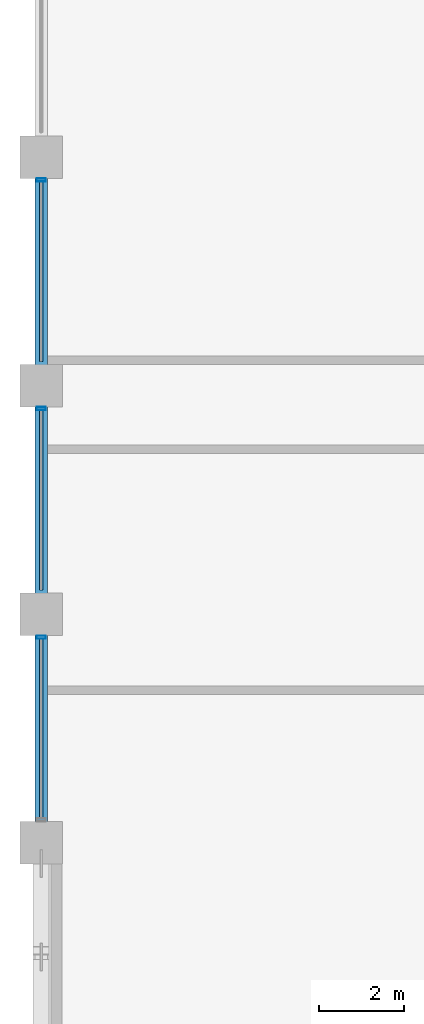
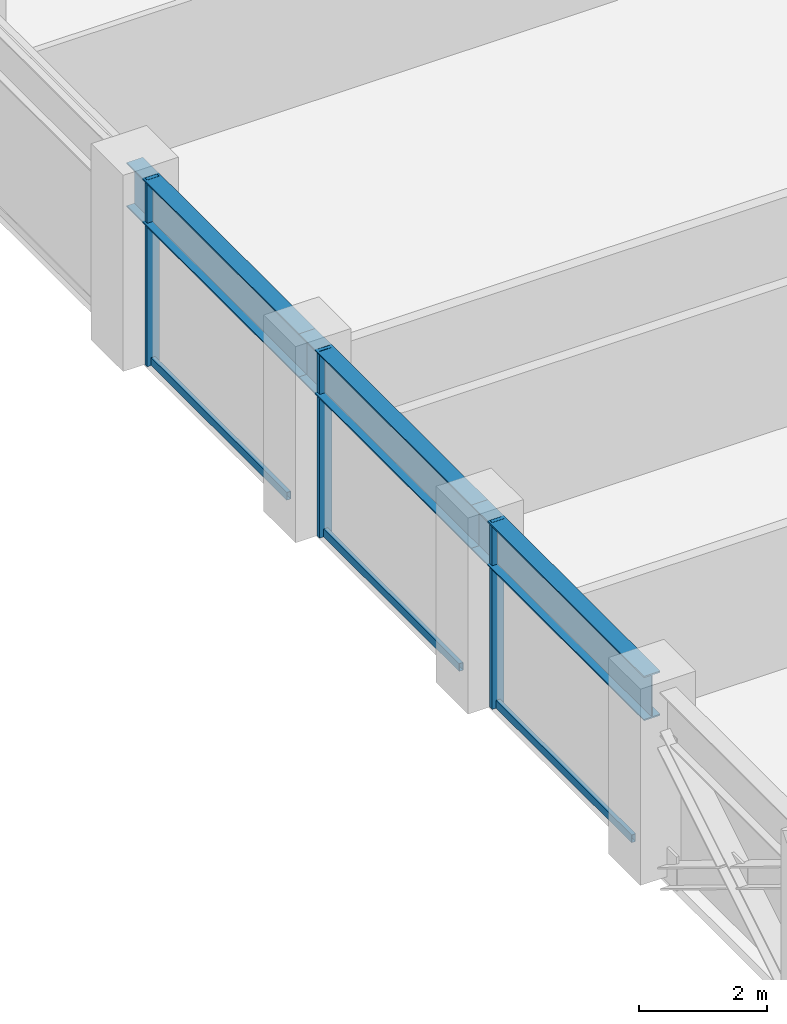
# One storey, part 6 of 23: 6 members, 3 beams, 1 element without a shape of its own.
"""IFC4 building model written with IfcOpenShell, lengths in metres."""

import ifcopenshell
import ifcopenshell.guid

model = None  # the IFC model being written
_history = None  # IfcOwnerHistory: only IFC2X3 demands one
_inside = {}  # id of a spatial element -> (the spatial element, [elements in it])
_under = {}  # id of a project, library or spatial element -> (it, [spatial elements below it])
_declared = {}  # id of a project -> (the project, [libraries it declares])
_typed = {}  # id of a type object -> (the type object, [elements of that type])
_made_of = {}  # id of a material, layer set ... -> (it, [elements and type objects made of it])


def new_model(schema):
    """Start an empty IFC model of exactly this schema.

    Asked for "IFC4X3", IfcOpenShell would pick the latest addendum, in which some entities
    have other attributes; the version numbers below select the first issue.
    IFC2X3 requires an IfcOwnerHistory on every rooted entity: one is made here for all.
    """
    global model, _history
    if schema == "IFC4X3":
        model = ifcopenshell.file(schema_version=(4, 3, 0, 0))
    else:
        model = ifcopenshell.file(schema=schema)
    _inside.clear()
    _under.clear()
    _declared.clear()
    _typed.clear()
    _made_of.clear()
    _history = None
    if model.schema == "IFC2X3":
        org = make("IfcOrganization", Name="unknown")
        user = make(
            "IfcPersonAndOrganization",
            ThePerson=make("IfcPerson", FamilyName="unknown"),
            TheOrganization=org,
        )
        app = make(
            "IfcApplication",
            ApplicationDeveloper=org,
            Version="unknown",
            ApplicationFullName="unknown",
            ApplicationIdentifier="unknown",
        )
        _history = make(
            "IfcOwnerHistory",
            OwningUser=user,
            OwningApplication=app,
            ChangeAction="ADDED",
            CreationDate=0,
        )
    return model


def make(cls, **values):
    """One entity of the class cls with the attributes given. An attribute that is None is left unset."""
    return model.create_entity(
        cls, **{name: value for name, value in values.items() if value is not None}
    )


def rooted(cls, **values):
    """An entity with a GlobalId (a new one), such as an element, a storey or a relation."""
    return make(cls, GlobalId=ifcopenshell.guid.new(), OwnerHistory=_history, **values)


def si_unit(unit_type, name, prefix=None):
    """IfcSIUnit, for example si_unit("LENGTHUNIT", "METRE", prefix="MILLI")."""
    return make("IfcSIUnit", UnitType=unit_type, Prefix=prefix, Name=name)


def assignment(units):
    """IfcUnitAssignment: the units of a project."""
    return None if units is None else make("IfcUnitAssignment", Units=units)


def point(xyz):
    """IfcCartesianPoint."""
    return None if xyz is None else make("IfcCartesianPoint", Coordinates=xyz)


def direction(xyz):
    """IfcDirection."""
    return None if xyz is None else make("IfcDirection", DirectionRatios=xyz)


def frame(location, z_axis=None, x_axis=None):
    """IfcAxis2Placement3D, a coordinate frame: its origin and axes. An axis left out is left unset."""
    return make(
        "IfcAxis2Placement3D",
        Location=point(location),
        Axis=direction(z_axis),
        RefDirection=direction(x_axis),
    )


def frame_2d(location, x_axis=None):
    """IfcAxis2Placement2D, a coordinate frame in the plane: its origin and x axis."""
    return make(
        "IfcAxis2Placement2D", Location=point(location), RefDirection=direction(x_axis)
    )


def origin():
    """The frame at (0, 0, 0) with its axes left unset."""
    return frame((0.0, 0.0, 0.0))


def origin_2d():
    """The frame at (0, 0) in the plane with its x axis left unset."""
    return frame_2d((0.0, 0.0))


def place(relative_to, where):
    """IfcLocalPlacement: puts the frame where relative to a parent placement (None: the world)."""
    return make(
        "IfcLocalPlacement", PlacementRelTo=relative_to, RelativePlacement=where
    )


def context(
    kind, dimensions, precision=None, world=None, true_north=None, identifier=None
):
    """IfcGeometricRepresentationContext, for example the 3D "Model" context."""
    return make(
        "IfcGeometricRepresentationContext",
        ContextIdentifier=identifier,
        ContextType=kind,
        CoordinateSpaceDimension=dimensions,
        Precision=precision,
        WorldCoordinateSystem=world,
        TrueNorth=true_north,
    )


def subcontext(parent, identifier, kind, view, scale=None):
    """IfcGeometricRepresentationSubContext, for example "Body" below "Model"."""
    return make(
        "IfcGeometricRepresentationSubContext",
        ContextIdentifier=identifier,
        ContextType=kind,
        ParentContext=parent,
        TargetScale=scale,
        TargetView=view,
    )


def project(units=None, contexts=None):
    """IfcProject with its units and contexts."""
    return rooted(
        "IfcProject",
        Name="project",
        RepresentationContexts=contexts,
        UnitsInContext=assignment(units),
    )


def spatial(cls, under=None, at=None, **own):
    """A site, building, storey or space (cls), placed at a placement, below another one or the project."""
    s = rooted(cls, ObjectPlacement=at, **own)
    if under is not None:
        _under.setdefault(under.id(), (under, []))[1].append(s)
    return s


def profile(cls, at=None, kind="AREA", **sizes):
    """A parametric profile (cls). Its sizes go by their IFC names, for example OverallWidth=200.0."""
    return make(cls, ProfileType=kind, Position=at, **sizes)


def hollow_rectangle(**sizes):
    """IfcRectangleHollowProfileDef."""
    return profile("IfcRectangleHollowProfileDef", **sizes)


def i_section(**sizes):
    """IfcIShapeProfileDef."""
    return profile("IfcIShapeProfileDef", **sizes)


def extrude(swept, where, along, depth):
    """IfcExtrudedAreaSolid: the profile swept, set in the frame where, extruded along a direction by depth."""
    return make(
        "IfcExtrudedAreaSolid",
        SweptArea=swept,
        Position=where,
        ExtrudedDirection=direction(along),
        Depth=depth,
    )


def shape(context_of_items, identifier, shape_type, items):
    """IfcShapeRepresentation: the items that make up one representation, for example the "Body"."""
    return make(
        "IfcShapeRepresentation",
        ContextOfItems=context_of_items,
        RepresentationIdentifier=identifier,
        RepresentationType=shape_type,
        Items=items,
    )


def material(Name=None, Category=None):
    """IfcMaterial."""
    return make("IfcMaterial", Name=Name, Category=Category)


def layer(
    of_material, thickness, ventilated=None, Name=None, Category=None, Priority=None
):
    """IfcMaterialLayer: one layer of a wall or slab, of a material (None: an air gap)."""
    return make(
        "IfcMaterialLayer",
        Material=of_material,
        LayerThickness=thickness,
        IsVentilated=ventilated,
        Name=Name,
        Category=Category,
        Priority=Priority,
    )


def layer_set(layers, Name=None):
    """IfcMaterialLayerSet."""
    return make("IfcMaterialLayerSet", MaterialLayers=layers, LayerSetName=Name)


def material_profile(
    of_material, cross_section, Name=None, Category=None, Priority=None
):
    """IfcMaterialProfile: a cross section and its material."""
    return make(
        "IfcMaterialProfile",
        Name=Name,
        Material=of_material,
        Profile=cross_section,
        Priority=Priority,
        Category=Category,
    )


def profile_set(profiles, Name=None, composite=None):
    """IfcMaterialProfileSet."""
    return make(
        "IfcMaterialProfileSet",
        Name=Name,
        MaterialProfiles=profiles,
        CompositeProfile=composite,
    )


def made_of(thing, what):
    """Note that an element or type object is made of a material, layer set ...; save() writes the relation."""
    if what is not None:
        _made_of.setdefault(what.id(), (what, []))[1].append(thing)
    return thing


def type_object(cls, material=None, **own):
    """A type object (cls), such as IfcWallType, which elements share."""
    return made_of(rooted(cls, **own), material)


def element(
    cls,
    number,
    at=None,
    inside=None,
    cuts=None,
    type_object=None,
    material=None,
    context=None,
    identifier="Body",
    shape_type=None,
    held_by="IfcProductDefinitionShape",
    body=None,
    shapes=None,
    **own,
):
    """One element of the class cls, such as IfcWall. Its Tag is "e" and its number.

    at: its placement. inside: the storey or other place that contains it. cuts: it is an
    opening in that element (IfcRelVoidsElement). A single representation is given by context,
    identifier, shape_type and body (its items); several are given by shapes. held_by: the class
    of the entity that holds the representations. save() writes the other relations.
    """
    e = rooted(cls, Tag="e%d" % number, ObjectPlacement=at, **own)
    if body is not None:
        shapes = [shape(context, identifier, shape_type, body)]
    if shapes is not None:
        e.Representation = make(held_by, Representations=shapes)
    if inside is not None:
        _inside.setdefault(inside.id(), (inside, []))[1].append(e)
    if cuts is not None:
        rooted(
            "IfcRelVoidsElement", RelatingBuildingElement=cuts, RelatedOpeningElement=e
        )
    if type_object is not None:
        _typed.setdefault(type_object.id(), (type_object, []))[1].append(e)
    return made_of(e, material)


def aggregate(whole, parts):
    """IfcRelAggregates: a whole, such as a stair, and the parts it consists of."""
    return rooted("IfcRelAggregates", RelatingObject=whole, RelatedObjects=parts)


def save(model, path):
    """Write the relations noted so far, then the file.

    IfcRelAggregates (storeys below a building ...), IfcRelContainedInSpatialStructure (elements
    in a storey), IfcRelDefinesByType, IfcRelAssociatesMaterial and IfcRelDeclares: one each for
    every whole, place, type object, material and project.
    """
    for whole, parts in _under.values():
        aggregate(whole, parts)
    for where, things in _inside.values():
        rooted(
            "IfcRelContainedInSpatialStructure",
            RelatedElements=things,
            RelatingStructure=where,
        )
    for kind, things in _typed.values():
        rooted("IfcRelDefinesByType", RelatedObjects=things, RelatingType=kind)
    for what, things in _made_of.values():
        rooted("IfcRelAssociatesMaterial", RelatedObjects=things, RelatingMaterial=what)
    for by, libraries in _declared.values():
        rooted("IfcRelDeclares", RelatingContext=by, RelatedDefinitions=libraries)
    model.write(path)


model = new_model("IFC4")

# Units and contexts
model_context = context("Model", 3, precision=1e-05, world=origin(), true_north=direction((0.0, 1.0)))
body_context = subcontext(model_context, "Body", "Model", "MODEL_VIEW")
ifc_project = project(units=[si_unit("LENGTHUNIT", "METRE"), si_unit("AREAUNIT", "SQUARE_METRE"), si_unit("VOLUMEUNIT", "CUBIC_METRE"), si_unit("PLANEANGLEUNIT", "RADIAN"), si_unit("MASSUNIT", "GRAM", prefix="KILO")], contexts=[model_context])

# Site, building, storey
site_placement = place(None, origin())
site = spatial("IfcSite", under=ifc_project, at=site_placement, CompositionType="ELEMENT")
building_placement = place(site_placement, origin())
building = spatial("IfcBuilding", under=site, at=building_placement, Name="Surkhivell Harbour Commons", CompositionType="ELEMENT")
storey_placement = place(building_placement, frame((0.0, 0.0, 128.25)))
storey = spatial("IfcBuildingStorey", under=building, at=storey_placement, Name="L33", CompositionType="ELEMENT", Elevation=128.25)

# Beams
ifc_material_1 = material(Name="Steel S460", Category="steel")
ifc_material_profile_1 = material_profile(ifc_material_1, i_section(OverallWidth=0.2939453125, OverallDepth=0.85107421875, WebThickness=0.01611328125, FlangeThickness=0.02685546875, at=origin_2d()), Name="UB838x292x226")
ifc_profile_set_1 = profile_set([ifc_material_profile_1], Name="Steel S460")
beam_type = type_object("IfcBeamType", Name="BM-SPN-838", PredefinedType="SPANDREL", material=ifc_profile_set_1)
beam_placement = place(storey_placement, frame((-32.39990234375, -10.800048828125, 3.14453125), z_axis=(0.0, 1.0, 0.0), x_axis=(-1.0, 0.0, 0.0)))
element("IfcBeam", 1, at=beam_placement, inside=storey, type_object=beam_type, Name="L33 Tube Spandrel (-32.4,-10.8)", PredefinedType="SPANDREL", context=body_context, shape_type="SweptSolid", body=[
    extrude(i_section(OverallWidth=0.2939453125, OverallDepth=0.85107421875, WebThickness=0.01611328125, FlangeThickness=0.02685546875, at=origin_2d()), origin(), (0.0, 0.0, 1.0), 5.400146484375),
])
for number, where, z_axis, x_axis, name in (
    (2, (-32.39990234375, -5.39990234375, 3.14453125), (0.0, 1.0, 0.0), (-1.0, 0.0, 0.0), "L33 Tube Spandrel (-32.4,-5.4)"),
    (3, (-32.39990234375, 0.0, 3.14453125), (0.0, 1.0, 0.0), (-1.0, 0.0, 0.0), "L33 Tube Spandrel (-32.4,0.0)"),
):
    element("IfcBeam", number, at=place(storey_placement, frame(where, z_axis=z_axis, x_axis=x_axis)), inside=storey, type_object=beam_type, Name=name, PredefinedType="SPANDREL", context=body_context, shape_type="SweptSolid", body=[
        extrude(i_section(OverallWidth=0.2939453125, OverallDepth=0.85107421875, WebThickness=0.01611328125, FlangeThickness=0.02685546875, at=origin_2d()), origin(), (0.0, 0.0, 1.0), 5.39990234375),
    ])

# Curtain wall, members
ifc_material_2 = material(Name="Anodised pale-metal aluminium and insulated glazing", Category="aluminium")
ifc_layer = layer(ifc_material_2, 0.205078125)
ifc_layer_set = layer_set([ifc_layer], Name="Anodised pale-metal aluminium and insulated glazing")
curtain_wall_type = type_object("IfcCurtainWallType", Name="CW-SYS-Z2", PredefinedType="NOTDEFINED", material=ifc_layer_set)
curtain_wall_placement = place(storey_placement, origin())
curtain_wall = element("IfcCurtainWall", 4, at=curtain_wall_placement, inside=storey, type_object=curtain_wall_type, Name="L33 Curtain Wall CW-L33-E12S1", PredefinedType="NOTDEFINED")
ifc_material_3 = material(Name="Anodised pale-metal aluminium alloy 6063-T6", Category="aluminium")
ifc_material_profile_2 = material_profile(ifc_material_3, hollow_rectangle(XDim=0.074951171875, YDim=0.219970703125, WallThickness=0.00390625, at=origin_2d()), Name="ALU-MULL-75x220")
ifc_profile_set_2 = profile_set([ifc_material_profile_2], Name="Anodised pale-metal aluminium alloy 6063-T6")
member_type_1 = type_object("IfcMemberType", Name="CWM-220", PredefinedType="MULLION", material=ifc_profile_set_2)
member_1_placement = place(storey_placement, frame((-32.39990234375, 4.860595703125, 0.0), z_axis=(0.0, 0.0, 1.0), x_axis=(0.0, -1.0, 0.0)))
member_1 = element("IfcMember", 5, at=member_1_placement, type_object=member_type_1, Name="CW-Z2 mullion 4", PredefinedType="MULLION", context=body_context, shape_type="SweptSolid", body=[
    extrude(hollow_rectangle(XDim=0.074951171875, YDim=0.219970703125, WallThickness=0.00390625, at=origin_2d()), origin(), (0.0, 0.0, 1.0), 3.570068359375),
])
member_2_placement = place(storey_placement, frame((-32.39990234375, -0.53955078125, 0.0), z_axis=(0.0, 0.0, 1.0), x_axis=(0.0, -1.0, 0.0)))
member_2 = element("IfcMember", 6, at=member_2_placement, type_object=member_type_1, Name="CW-Z2 mullion 5", PredefinedType="MULLION", context=body_context, shape_type="SweptSolid", body=[
    extrude(hollow_rectangle(XDim=0.074951171875, YDim=0.219970703125, WallThickness=0.00390625, at=origin_2d()), origin(), (0.0, 0.0, 1.0), 3.570068359375),
])
member_3_placement = place(storey_placement, frame((-32.39990234375, -5.939453125, 0.0), z_axis=(0.0, 0.0, 1.0), x_axis=(0.0, -1.0, 0.0)))
member_3 = element("IfcMember", 7, at=member_3_placement, type_object=member_type_1, Name="CW-Z2 mullion 6", PredefinedType="MULLION", context=body_context, shape_type="SweptSolid", body=[
    extrude(hollow_rectangle(XDim=0.074951171875, YDim=0.219970703125, WallThickness=0.00390625, at=origin_2d()), origin(), (0.0, 0.0, 1.0), 3.570068359375),
])
ifc_material_profile_3 = material_profile(ifc_material_3, hollow_rectangle(XDim=0.074951171875, YDim=0.14990234375, WallThickness=0.00341796875, at=origin_2d()), Name="ALU-TRAN-75x150")
ifc_profile_set_3 = profile_set([ifc_material_profile_3], Name="Anodised pale-metal aluminium alloy 6063-T6")
member_type_2 = type_object("IfcMemberType", Name="CWT-150", PredefinedType="USERDEFINED", material=ifc_profile_set_3)
member_4_placement = place(storey_placement, frame((-32.39990234375, 4.822998046875, 0.074951171875), z_axis=(0.0, -1.0, 0.0), x_axis=(1.0, 0.0, 0.0)))
member_4 = element("IfcMember", 8, at=member_4_placement, type_object=member_type_2, Name="CW-Z2 transom 4.1", ObjectType="TRANSOM", PredefinedType="USERDEFINED", context=body_context, shape_type="SweptSolid", body=[
    extrude(hollow_rectangle(XDim=0.074951171875, YDim=0.14990234375, WallThickness=0.00341796875, at=origin_2d()), origin(), (0.0, 0.0, 1.0), 4.24609375),
])
member_5_placement = place(storey_placement, frame((-32.39990234375, -0.576904296875, 0.074951171875), z_axis=(0.0, -1.0, 0.0), x_axis=(1.0, 0.0, 0.0)))
member_5 = element("IfcMember", 9, at=member_5_placement, type_object=member_type_2, Name="CW-Z2 transom 5.1", ObjectType="TRANSOM", PredefinedType="USERDEFINED", context=body_context, shape_type="SweptSolid", body=[
    extrude(hollow_rectangle(XDim=0.074951171875, YDim=0.14990234375, WallThickness=0.00341796875, at=origin_2d()), origin(), (0.0, 0.0, 1.0), 4.24609375),
])
member_6_placement = place(storey_placement, frame((-32.39990234375, -5.97705078125, 0.074951171875), z_axis=(0.0, -1.0, 0.0), x_axis=(1.0, 0.0, 0.0)))
member_6 = element("IfcMember", 10, at=member_6_placement, type_object=member_type_2, Name="CW-Z2 transom 6.1", ObjectType="TRANSOM", PredefinedType="USERDEFINED", context=body_context, shape_type="SweptSolid", body=[
    extrude(hollow_rectangle(XDim=0.074951171875, YDim=0.14990234375, WallThickness=0.00341796875, at=origin_2d()), origin(), (0.0, 0.0, 1.0), 4.245849609375),
])
aggregate(curtain_wall, [member_1, member_4, member_2, member_5, member_3, member_6])

save(model, "model.ifc")
